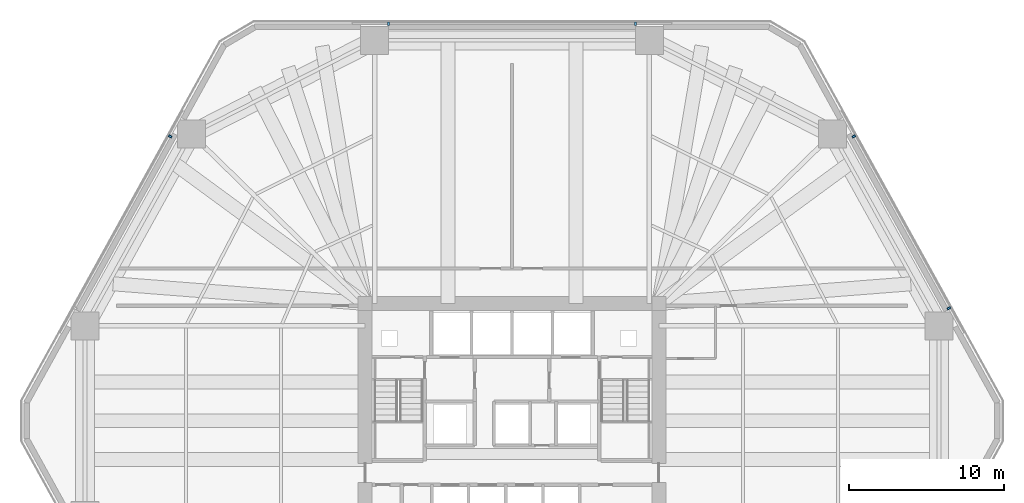
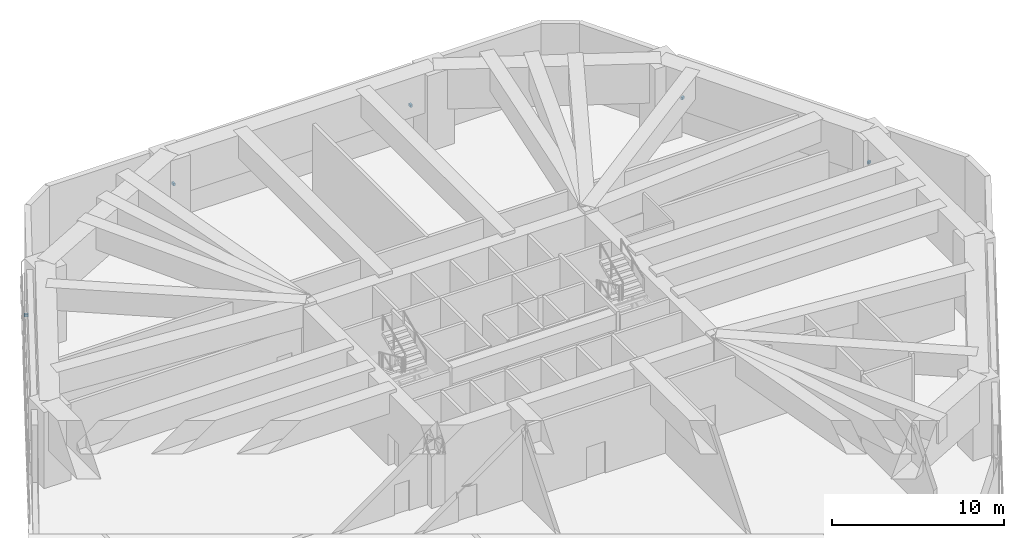
# One storey, part 7 of 12: 5 discrete accessories.
"""IFC4 building model written with IfcOpenShell, lengths in metres."""

from ifc_helpers import new_model, si_unit, direction, frame, origin, origin_2d, place, context, subcontext, project, spatial, rectangle, extrude, material, type_object, element, save


model = new_model("IFC4")

# Units and contexts
model_context = context("Model", 3, precision=1e-05, world=origin(), true_north=direction((0.0, 1.0)))
body_context = subcontext(model_context, "Body", "Model", "MODEL_VIEW")
ifc_project = project(units=[si_unit("LENGTHUNIT", "METRE"), si_unit("AREAUNIT", "SQUARE_METRE"), si_unit("VOLUMEUNIT", "CUBIC_METRE"), si_unit("PLANEANGLEUNIT", "RADIAN"), si_unit("MASSUNIT", "GRAM", prefix="KILO")], contexts=[model_context])

# Site, building, storey
site_placement = place(None, origin())
site = spatial("IfcSite", under=ifc_project, at=site_placement, CompositionType="ELEMENT")
building_placement = place(site_placement, origin())
building = spatial("IfcBuilding", under=site, at=building_placement, Name="Cinnabar Lancet Tower", CompositionType="ELEMENT")
storey_placement = place(building_placement, frame((0.0, 0.0, 19.5)))
storey = spatial("IfcBuildingStorey", under=building, at=storey_placement, Name="L04", CompositionType="ELEMENT", Elevation=19.5)

# Discrete accessories
ifc_material = material(Name="Stainless steel 316 facade fixing bracket", Category="steel")
discrete_accessory_type = type_object("IfcDiscreteAccessoryType", Name="ENV-ACC-BRK-180", PredefinedType="BRACKET", material=ifc_material)
for number, where, z_axis, x_axis, name in (
    (1, (60.52001953125, 33.0400390625, 2.06005859375), (0.0, 0.0, 1.0), (-0.483694882518, 0.875236688345, 0.0), "L04 Face 3 Louvre Fixing Bracket A"),
    (2, (54.404052734375, 44.10595703125, 2.06005859375), (0.0, 0.0, 1.0), (-0.483694882518, 0.875236688345, 0.0), "L04 Face 3 Louvre Fixing Bracket B"),
    (3, (40.35498046875, 51.35498046875, 2.06005859375), (0.0, 0.0, 1.0), (-1.0, 0.0, 0.0), "L04 Face 4 Louvre Fixing Bracket A"),
    (4, (24.445068359375, 51.35498046875, 2.06005859375), (0.0, 0.0, 1.0), (-1.0, 0.0, 0.0), "L04 Face 4 Louvre Fixing Bracket B"),
    (5, (10.39599609375, 44.10595703125, 2.06005859375), (0.0, 0.0, 1.0), (-0.483694882518, -0.875236688345, 0.0), "L04 Face 5 Louvre Fixing Bracket A"),
):
    element("IfcDiscreteAccessory", number, at=place(storey_placement, frame(where, z_axis=z_axis, x_axis=x_axis)), inside=storey, type_object=discrete_accessory_type, Name=name, PredefinedType="BRACKET", context=body_context, shape_type="SweptSolid", body=[
        extrude(rectangle(XDim=0.139892578125, YDim=0.219970703125, at=origin_2d()), origin(), (0.0, 0.0, 1.0), 0.179931640625),
    ])

save(model, "model.ifc")
